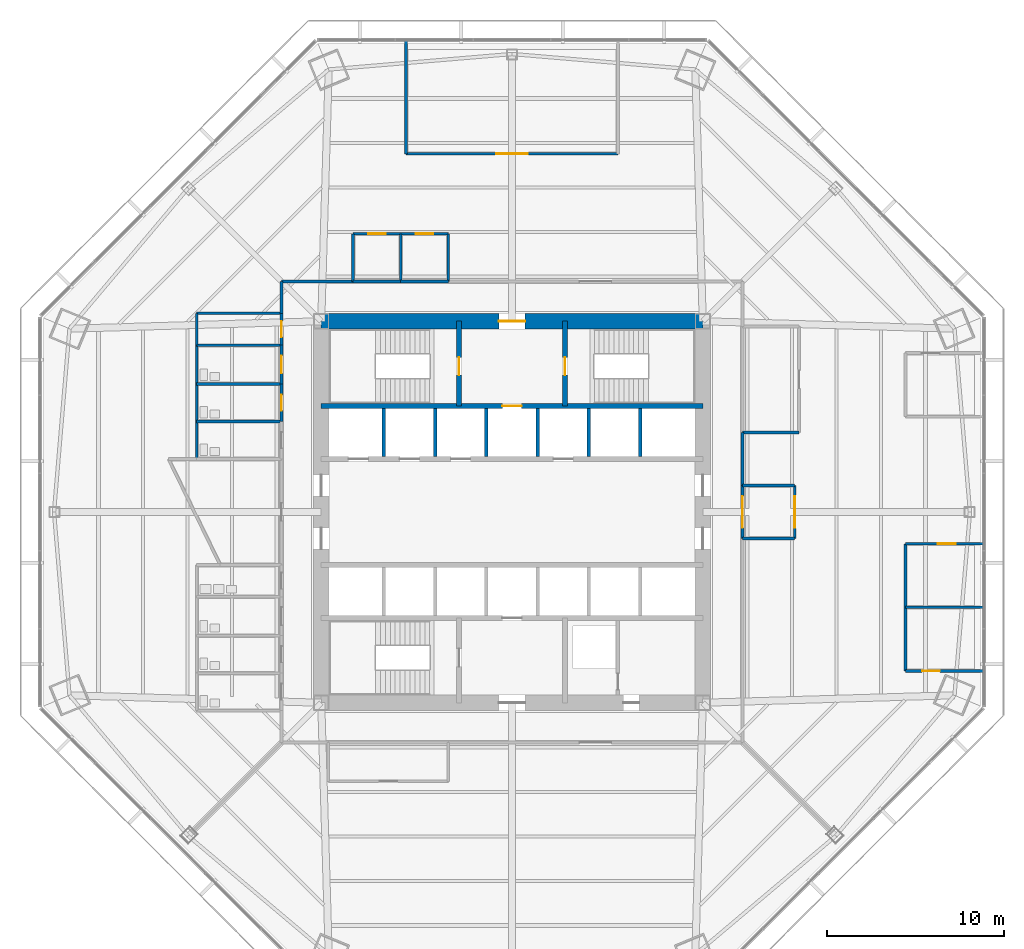
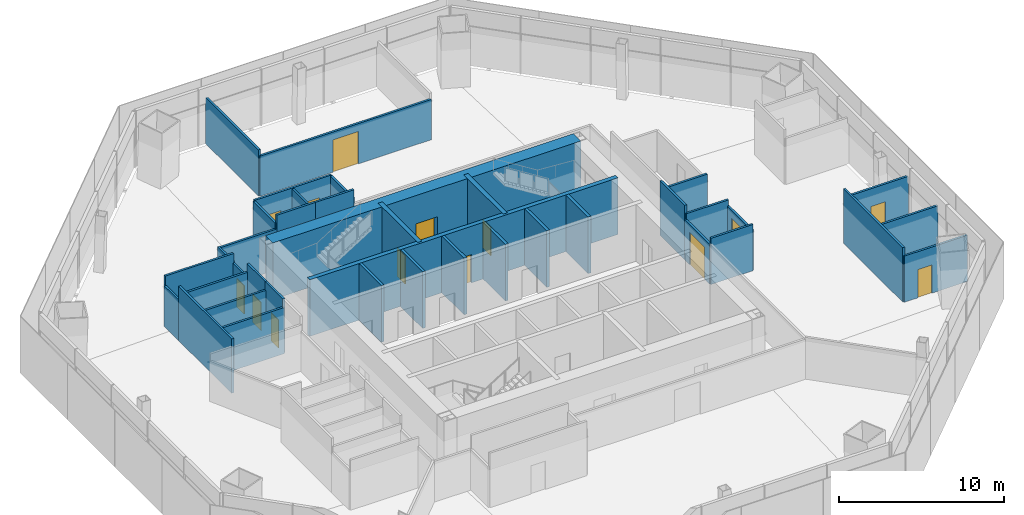
# One storey, part 9 of 13: 39 walls, 14 doors, 14 openings.
"""IFC4 building model written with IfcOpenShell, lengths in metres."""

from ifc_helpers import new_model, si_unit, direction, frame, frame_2d, origin, place, context, subcontext, project, spatial, rectangle, extrude, material, layer, layer_set, type_object, element, fill, save


model = new_model("IFC4")

# Units and contexts
model_context = context("Model", 3, precision=1e-05, world=origin(), true_north=direction((0.0, 1.0)))
body_context = subcontext(model_context, "Body", "Model", "MODEL_VIEW")
ifc_project = project(units=[si_unit("LENGTHUNIT", "METRE"), si_unit("AREAUNIT", "SQUARE_METRE"), si_unit("VOLUMEUNIT", "CUBIC_METRE"), si_unit("PLANEANGLEUNIT", "RADIAN"), si_unit("MASSUNIT", "GRAM", prefix="KILO")], contexts=[model_context])

# Site, building, storey
site_placement = place(None, origin())
site = spatial("IfcSite", under=ifc_project, at=site_placement, CompositionType="ELEMENT")
building_placement = place(site_placement, origin())
building = spatial("IfcBuilding", under=site, at=building_placement, Name="Mashrafa Tower", CompositionType="ELEMENT")
storey_placement = place(building_placement, frame((0.0, 0.0, 45.60009765625)))
storey = spatial("IfcBuildingStorey", under=building, at=storey_placement, Name="L09", CompositionType="ELEMENT", Elevation=45.60009765625)

# Wall, opening, door
ifc_material_1 = material(Name="Concrete C60/75", Category="concrete")
ifc_layer_1 = layer(ifc_material_1, 0.300048828125)
ifc_layer_set_1 = layer_set([ifc_layer_1], Name="Core wall 300 C60/75")
wall_type_1 = type_object("IfcWallType", Name="Core wall 300 C60/75", PredefinedType="SOLIDWALL", material=ifc_layer_set_1)
wall_1_placement = place(storey_placement, frame((-10.800048828125, 6.0, 0.0), z_axis=(0.0, 0.0, 1.0), x_axis=(1.0, 0.0, 0.0)))
wall_1 = element("IfcWall", 1, at=wall_1_placement, inside=storey, type_object=wall_type_1, Name="Core wall CB-N L09", PredefinedType="SOLIDWALL", context=body_context, shape_type="SweptSolid", body=[
    extrude(rectangle(XDim=21.60009765625, YDim=0.300048828125, at=frame_2d((10.800048828125, 0.0))), origin(), (0.0, 0.0, 1.0), 4.199951171875),
])
opening_1_placement = place(wall_1_placement, frame((10.25, 0.0, 0.0)))
opening_1 = element("IfcOpeningElement", 2, at=opening_1_placement, cuts=wall_1, Name="Opening 09.F1", PredefinedType="OPENING", context=body_context, shape_type="SweptSolid", body=[
    extrude(rectangle(XDim=1.10009765625, YDim=2.10009765625, at=frame_2d((0.550048828125, 1.050048828125))), frame((0.0, 0.159912109375, 0.0), z_axis=(0.0, -1.0, 0.0), x_axis=(1.0, 0.0, 0.0)), (0.0, 0.0, 1.0), 0.320068359375),
])
ifc_material_2 = material(Name="Steel door", Category="steel")
door_type_1 = type_object("IfcDoorType", Name="Lift landing door 1100 x 2100 90 min", OperationType="DOUBLE_DOOR_SLIDING", PredefinedType="DOOR", material=ifc_material_2)
door_1_placement = place(opening_1_placement, origin())
door_1 = element("IfcDoor", 3, at=door_1_placement, inside=storey, type_object=door_type_1, Name="Lift landing door F1 L09", OperationType="DOUBLE_DOOR_SLIDING", OverallHeight=2.10009765625, OverallWidth=1.10009765625, PredefinedType="DOOR", context=body_context, shape_type="SweptSolid", body=[
    extrude(rectangle(XDim=1.10009765625, YDim=2.10009765625, at=frame_2d((0.550048828125, 1.050048828125))), frame((0.0, 0.02490234375, 0.0), z_axis=(0.0, -1.0, 0.0), x_axis=(1.0, 0.0, 0.0)), (0.0, 0.0, 1.0), 0.050048828125),
])
fill(opening_1, door_1)

wall_2_placement = place(storey_placement, frame((-3.0, 6.0, 0.0), z_axis=(0.0, 0.0, 1.0), x_axis=(0.0, 1.0, 0.0)))
wall_2 = element("IfcWall", 4, at=wall_2_placement, inside=storey, type_object=wall_type_1, Name="Core wall CX-NW L09", PredefinedType="SOLIDWALL", context=body_context, shape_type="SweptSolid", body=[
    extrude(rectangle(XDim=4.800048828125, YDim=0.300048828125, at=frame_2d((2.39990234375, 0.0))), origin(), (0.0, 0.0, 1.0), 4.199951171875),
])
opening_2_placement = place(wall_2_placement, frame((1.75, 0.0, 0.0)))
opening_2 = element("IfcOpeningElement", 5, at=opening_2_placement, cuts=wall_2, Name="Opening 09.028", PredefinedType="OPENING", context=body_context, shape_type="SweptSolid", body=[
    extrude(rectangle(XDim=1.0, YDim=2.10009765625, at=frame_2d((0.5, 1.050048828125))), frame((0.0, 0.159912109375, 0.0), z_axis=(0.0, -1.0, 0.0), x_axis=(1.0, 0.0, 0.0)), (0.0, 0.0, 1.0), 0.320068359375),
])
ifc_material_3 = material(Name="Steel door", Category="steel")
door_type_2 = type_object("IfcDoorType", Name="Stair door 1000 x 2100 90 min", OperationType="USERDEFINED", PredefinedType="DOOR", material=ifc_material_3)
door_2_placement = place(opening_2_placement, origin())
door_2 = element("IfcDoor", 6, at=door_2_placement, inside=storey, type_object=door_type_2, Name="Stair S1 door L09", OperationType="SINGLE_SWING_LEFT", OverallHeight=2.10009765625, OverallWidth=1.0, PredefinedType="DOOR", context=body_context, shape_type="SweptSolid", body=[
    extrude(rectangle(XDim=1.0, YDim=2.10009765625, at=frame_2d((0.5, 1.050048828125))), frame((0.0, 0.02490234375, 0.0), z_axis=(0.0, -1.0, 0.0), x_axis=(1.0, 0.0, 0.0)), (0.0, 0.0, 1.0), 0.050048828125),
])
fill(opening_2, door_2)

wall_3_placement = place(storey_placement, frame((3.0, 6.0, 0.0), z_axis=(0.0, 0.0, 1.0), x_axis=(0.0, 1.0, 0.0)))
wall_3 = element("IfcWall", 7, at=wall_3_placement, inside=storey, type_object=wall_type_1, Name="Core wall CX-NE L09", PredefinedType="SOLIDWALL", context=body_context, shape_type="SweptSolid", body=[
    extrude(rectangle(XDim=4.800048828125, YDim=0.300048828125, at=frame_2d((2.39990234375, 0.0))), origin(), (0.0, 0.0, 1.0), 4.199951171875),
])
opening_3_placement = place(wall_3_placement, frame((1.75, 0.0, 0.0)))
opening_3 = element("IfcOpeningElement", 8, at=opening_3_placement, cuts=wall_3, Name="Opening 09.029", PredefinedType="OPENING", context=body_context, shape_type="SweptSolid", body=[
    extrude(rectangle(XDim=1.0, YDim=2.10009765625, at=frame_2d((0.5, 1.050048828125))), frame((0.0, 0.159912109375, 0.0), z_axis=(0.0, -1.0, 0.0), x_axis=(1.0, 0.0, 0.0)), (0.0, 0.0, 1.0), 0.320068359375),
])
door_3_placement = place(opening_3_placement, frame((1.0, 0.0, 0.0), z_axis=(0.0, 0.0, 1.0), x_axis=(-1.0, 0.0, 0.0)))
door_3 = element("IfcDoor", 9, at=door_3_placement, inside=storey, type_object=door_type_2, Name="Stair S2 door L09", OperationType="SINGLE_SWING_RIGHT", OverallHeight=2.10009765625, OverallWidth=1.0, PredefinedType="DOOR", context=body_context, shape_type="SweptSolid", body=[
    extrude(rectangle(XDim=1.0, YDim=2.10009765625, at=frame_2d((0.5, 1.050048828125))), frame((0.0, 0.02490234375, 0.0), z_axis=(0.0, -1.0, 0.0), x_axis=(1.0, 0.0, 0.0)), (0.0, 0.0, 1.0), 0.050048828125),
])
fill(opening_3, door_3)

ifc_material_4 = material(Name="Concrete C60/75", Category="concrete")
ifc_layer_2 = layer(ifc_material_4, 0.89990234375)
ifc_layer_set_2 = layer_set([ifc_layer_2], Name="Core wall 900 C60/75")
wall_type_2 = type_object("IfcWallType", Name="Core wall 900 C60/75", PredefinedType="SOLIDWALL", material=ifc_layer_set_2)
wall_4_placement = place(storey_placement, frame((10.800048828125, 10.800048828125, 0.0), z_axis=(0.0, 0.0, 1.0), x_axis=(-1.0, 0.0, 0.0)))
wall_4 = element("IfcWall", 10, at=wall_4_placement, inside=storey, type_object=wall_type_2, Name="Core wall CW-N L09", PredefinedType="SOLIDWALL", context=body_context, shape_type="SweptSolid", body=[
    extrude(rectangle(XDim=21.60009765625, YDim=0.89990234375, at=frame_2d((10.800048828125, 0.0))), origin(), (0.0, 0.0, 1.0), 4.199951171875),
])
opening_4_placement = place(wall_4_placement, frame((10.050048828125, 0.0, 0.0)))
opening_4 = element("IfcOpeningElement", 11, at=opening_4_placement, cuts=wall_4, Name="Opening 09.026", PredefinedType="OPENING", context=body_context, shape_type="SweptSolid", body=[
    extrude(rectangle(XDim=1.5, YDim=2.10009765625, at=frame_2d((0.75, 1.050048828125))), frame((0.0, 0.4599609375, 0.0), z_axis=(0.0, -1.0, 0.0), x_axis=(1.0, 0.0, 0.0)), (0.0, 0.0, 1.0), 0.919921875),
])
ifc_material_5 = material(Name="Steel door", Category="steel")
door_type_3 = type_object("IfcDoorType", Name="Lobby door pair 1500 x 2100 90 min", OperationType="DOUBLE_DOOR_SINGLE_SWING", PredefinedType="DOOR", material=ifc_material_5)
door_4_placement = place(opening_4_placement, origin())
door_4 = element("IfcDoor", 12, at=door_4_placement, inside=storey, type_object=door_type_3, Name="Fire-fighting lobby F1 door L09", OperationType="DOUBLE_DOOR_SINGLE_SWING", OverallHeight=2.10009765625, OverallWidth=1.5, PredefinedType="DOOR", context=body_context, shape_type="SweptSolid", body=[
    extrude(rectangle(XDim=1.5, YDim=2.10009765625, at=frame_2d((0.75, 1.050048828125))), frame((0.0, 0.02490234375, 0.0), z_axis=(0.0, -1.0, 0.0), x_axis=(1.0, 0.0, 0.0)), (0.0, 0.0, 1.0), 0.050048828125),
])
fill(opening_4, door_4)

ifc_material_6 = material(Name="Gypsum board on steel studs", Category="steel")
ifc_layer_3 = layer(ifc_material_6, 0.14990234375)
ifc_layer_set_3 = layer_set([ifc_layer_3], Name="Corridor partition 150 1 hr")
wall_type_3 = type_object("IfcWallType", Name="Corridor partition 150 1 hr", PredefinedType="PARTITIONING", material=ifc_layer_set_3)
wall_5_placement = place(storey_placement, frame((-13.050048828125, 7.2509765625, 0.0), z_axis=(0.0, 0.0, 1.0), x_axis=(0.0, -1.0, 0.0)))
wall_5 = element("IfcWall", 13, at=wall_5_placement, inside=storey, type_object=wall_type_3, Name="Corridor wall L09-002", PredefinedType="PARTITIONING", context=body_context, shape_type="SweptSolid", body=[
    extrude(rectangle(XDim=2.126953125, YDim=0.14990234375, at=frame_2d((1.0634765625, 0.0))), origin(), (0.0, 0.0, 1.0), 4.034912109375),
])
opening_5_placement = place(wall_5_placement, frame((0.613525390625, 0.0, 0.0)))
opening_5 = element("IfcOpeningElement", 14, at=opening_5_placement, cuts=wall_5, Name="Opening 09.002", PredefinedType="OPENING", context=body_context, shape_type="SweptSolid", body=[
    extrude(rectangle(XDim=0.89990234375, YDim=2.10009765625, at=frame_2d((0.449951171875, 1.050048828125))), frame((0.0, 0.0849609375, 0.0), z_axis=(0.0, -1.0, 0.0), x_axis=(1.0, 0.0, 0.0)), (0.0, 0.0, 1.0), 0.169921875),
])
ifc_material_7 = material(Name="Timber door", Category="wood")
door_type_4 = type_object("IfcDoorType", Name="Toilet door 900 x 2100", OperationType="USERDEFINED", PredefinedType="DOOR", material=ifc_material_7)
door_5_placement = place(opening_5_placement, frame((0.89990234375, 0.0, 0.0), z_axis=(0.0, 0.0, 1.0), x_axis=(-1.0, 0.0, 0.0)))
door_5 = element("IfcDoor", 15, at=door_5_placement, inside=storey, type_object=door_type_4, Name="WC Male L09 N door", OperationType="SINGLE_SWING_LEFT", OverallHeight=2.10009765625, OverallWidth=0.89990234375, PredefinedType="DOOR", context=body_context, shape_type="SweptSolid", body=[
    extrude(rectangle(XDim=0.89990234375, YDim=2.10009765625, at=frame_2d((0.449951171875, 1.050048828125))), frame((0.0, 0.02490234375, 0.0), z_axis=(0.0, -1.0, 0.0), x_axis=(1.0, 0.0, 0.0)), (0.0, 0.0, 1.0), 0.050048828125),
])
fill(opening_5, door_5)

wall_6_placement = place(storey_placement, frame((-13.050048828125, 9.450927734375, 0.0), z_axis=(0.0, 0.0, 1.0), x_axis=(0.0, -1.0, 0.0)))
wall_6 = element("IfcWall", 16, at=wall_6_placement, inside=storey, type_object=wall_type_3, Name="Corridor wall L09-003", PredefinedType="PARTITIONING", context=body_context, shape_type="SweptSolid", body=[
    extrude(rectangle(XDim=2.201904296875, YDim=0.14990234375, at=frame_2d((1.10107421875, 0.0))), origin(), (0.0, 0.0, 1.0), 4.034912109375),
])
opening_6_placement = place(wall_6_placement, frame((0.60107421875, 0.0, 0.0)))
opening_6 = element("IfcOpeningElement", 17, at=opening_6_placement, cuts=wall_6, Name="Opening 09.003", PredefinedType="OPENING", context=body_context, shape_type="SweptSolid", body=[
    extrude(rectangle(XDim=1.0, YDim=2.10009765625, at=frame_2d((0.5, 1.050048828125))), frame((0.0, 0.0849609375, 0.0), z_axis=(0.0, -1.0, 0.0), x_axis=(1.0, 0.0, 0.0)), (0.0, 0.0, 1.0), 0.169921875),
])
ifc_material_8 = material(Name="Timber door", Category="wood")
door_type_5 = type_object("IfcDoorType", Name="Accessible toilet door 1000 x 2100", OperationType="USERDEFINED", PredefinedType="DOOR", material=ifc_material_8)
door_6_placement = place(opening_6_placement, frame((1.0, 0.0, 0.0), z_axis=(0.0, 0.0, 1.0), x_axis=(-1.0, 0.0, 0.0)))
door_6 = element("IfcDoor", 18, at=door_6_placement, inside=storey, type_object=door_type_5, Name="Accessible WC L09 N door", OperationType="SINGLE_SWING_RIGHT", OverallHeight=2.10009765625, OverallWidth=1.0, PredefinedType="DOOR", context=body_context, shape_type="SweptSolid", body=[
    extrude(rectangle(XDim=1.0, YDim=2.10009765625, at=frame_2d((0.5, 1.050048828125))), frame((0.0, 0.02490234375, 0.0), z_axis=(0.0, -1.0, 0.0), x_axis=(1.0, 0.0, 0.0)), (0.0, 0.0, 1.0), 0.050048828125),
])
fill(opening_6, door_6)

wall_7_placement = place(storey_placement, frame((-13.050048828125, 11.2509765625, 0.0), z_axis=(0.0, 0.0, 1.0), x_axis=(0.0, -1.0, 0.0)))
wall_7 = element("IfcWall", 19, at=wall_7_placement, inside=storey, type_object=wall_type_3, Name="Corridor wall L09-004", PredefinedType="PARTITIONING", context=body_context, shape_type="SweptSolid", body=[
    extrude(rectangle(XDim=1.802001953125, YDim=0.14990234375, at=frame_2d((0.90087890625, 0.0))), origin(), (0.0, 0.0, 1.0), 3.013916015625),
])
opening_7_placement = place(wall_7_placement, frame((0.450927734375, 0.0, 0.0)))
opening_7 = element("IfcOpeningElement", 20, at=opening_7_placement, cuts=wall_7, Name="Opening 09.004", PredefinedType="OPENING", context=body_context, shape_type="SweptSolid", body=[
    extrude(rectangle(XDim=0.89990234375, YDim=2.10009765625, at=frame_2d((0.449951171875, 1.050048828125))), frame((0.0, 0.0849609375, 0.0), z_axis=(0.0, -1.0, 0.0), x_axis=(1.0, 0.0, 0.0)), (0.0, 0.0, 1.0), 0.169921875),
])
ifc_material_9 = material(Name="Timber door", Category="wood")
door_type_6 = type_object("IfcDoorType", Name="Store door 900 x 2100", OperationType="USERDEFINED", PredefinedType="DOOR", material=ifc_material_9)
door_7_placement = place(opening_7_placement, frame((0.89990234375, 0.0, 0.0), z_axis=(0.0, 0.0, 1.0), x_axis=(-1.0, 0.0, 0.0)))
door_7 = element("IfcDoor", 21, at=door_7_placement, inside=storey, type_object=door_type_6, Name="Cleaner's Store L09 N door", OperationType="SINGLE_SWING_LEFT", OverallHeight=2.10009765625, OverallWidth=0.89990234375, PredefinedType="DOOR", context=body_context, shape_type="SweptSolid", body=[
    extrude(rectangle(XDim=0.89990234375, YDim=2.10009765625, at=frame_2d((0.449951171875, 1.050048828125))), frame((0.0, 0.02490234375, 0.0), z_axis=(0.0, -1.0, 0.0), x_axis=(1.0, 0.0, 0.0)), (0.0, 0.0, 1.0), 0.050048828125),
])
fill(opening_7, door_7)

# Walls
for number, where, z_axis, x_axis, name in (
    (22, (-3.59912109375, 13.050048828125, 0.0), (0.0, 0.0, 1.0), (-1.0, 0.0, 0.0), "Corridor wall L09-012"),
    (23, (-6.299072265625, 13.050048828125, 0.0), (0.0, 0.0, 1.0), (-1.0, 0.0, 0.0), "Corridor wall L09-013"),
):
    element("IfcWall", number, at=place(storey_placement, frame(where, z_axis=z_axis, x_axis=x_axis)), inside=storey, type_object=wall_type_3, Name=name, PredefinedType="PARTITIONING", context=body_context, shape_type="SweptSolid", body=[
        extrude(rectangle(XDim=2.701904296875, YDim=0.14990234375, at=frame_2d((1.35107421875, 0.0))), origin(), (0.0, 0.0, 1.0), 4.034912109375),
    ])

# Wall, opening, door
wall_8_placement = place(storey_placement, frame((13.050048828125, -1.5009765625, 0.0), z_axis=(0.0, 0.0, 1.0), x_axis=(0.0, 1.0, 0.0)))
wall_8 = element("IfcWall", 24, at=wall_8_placement, inside=storey, type_object=wall_type_3, Name="Corridor wall L09-014", PredefinedType="PARTITIONING", context=body_context, shape_type="SweptSolid", body=[
    extrude(rectangle(XDim=3.001953125, YDim=0.14990234375, at=frame_2d((1.5009765625, 0.0))), origin(), (0.0, 0.0, 1.0), 2.9833984375),
])
opening_8_placement = place(wall_8_placement, frame((0.60107421875, 0.0, 0.0)))
opening_8 = element("IfcOpeningElement", 25, at=opening_8_placement, cuts=wall_8, Name="Opening 09.018", PredefinedType="OPENING", context=body_context, shape_type="SweptSolid", body=[
    extrude(rectangle(XDim=1.800048828125, YDim=2.39990234375, at=frame_2d((0.89990234375, 1.199951171875))), frame((0.0, 0.0849609375, 0.0), z_axis=(0.0, -1.0, 0.0), x_axis=(1.0, 0.0, 0.0)), (0.0, 0.0, 1.0), 0.169921875),
])
ifc_material_10 = material(Name="Steel door", Category="steel")
door_type_7 = type_object("IfcDoorType", Name="Door pair 1800 x 2400 90 min", OperationType="DOUBLE_DOOR_SINGLE_SWING", PredefinedType="DOOR", material=ifc_material_10)
door_8_placement = place(opening_8_placement, origin())
door_8 = element("IfcDoor", 26, at=door_8_placement, inside=storey, type_object=door_type_7, Name="Trading Floor Entrance Lobby 09 door", OperationType="DOUBLE_DOOR_SINGLE_SWING", OverallHeight=2.39990234375, OverallWidth=1.800048828125, PredefinedType="DOOR", context=body_context, shape_type="SweptSolid", body=[
    extrude(rectangle(XDim=1.800048828125, YDim=2.39990234375, at=frame_2d((0.89990234375, 1.199951171875))), frame((0.0, 0.02490234375, 0.0), z_axis=(0.0, -1.0, 0.0), x_axis=(1.0, 0.0, 0.0)), (0.0, 0.0, 1.0), 0.050048828125),
])
fill(opening_8, door_8)

# Walls
wall_9_placement = place(storey_placement, frame((-8.9990234375, 13.050048828125, 0.0), z_axis=(0.0, 0.0, 1.0), x_axis=(-1.0, 0.0, 0.0)))
element("IfcWall", 27, at=wall_9_placement, inside=storey, type_object=wall_type_3, Name="Corridor wall L09-016", PredefinedType="PARTITIONING", context=body_context, shape_type="SweptSolid", body=[
    extrude(rectangle(XDim=4.051025390625, YDim=0.14990234375, at=frame_2d((2.025390625, 0.0))), origin(), (0.0, 0.0, 1.0), 3.013916015625),
])
wall_10_placement = place(storey_placement, frame((-13.050048828125, 13.050048828125, 0.0), z_axis=(0.0, 0.0, 1.0), x_axis=(0.0, -1.0, 0.0)))
element("IfcWall", 28, at=wall_10_placement, inside=storey, type_object=wall_type_3, Name="Corridor wall L09-017", PredefinedType="PARTITIONING", context=body_context, shape_type="SweptSolid", body=[
    extrude(rectangle(XDim=1.801025390625, YDim=0.14990234375, at=frame_2d((0.900390625, 0.0))), origin(), (0.0, 0.0, 1.0), 3.097900390625),
])
wall_11_placement = place(storey_placement, frame((13.050048828125, 1.4990234375, 0.0), z_axis=(0.0, 0.0, 1.0), x_axis=(0.0, 1.0, 0.0)))
element("IfcWall", 29, at=wall_11_placement, inside=storey, type_object=wall_type_3, Name="Corridor wall L09-021", PredefinedType="PARTITIONING", context=body_context, shape_type="SweptSolid", body=[
    extrude(rectangle(XDim=3.001953125, YDim=0.14990234375, at=frame_2d((1.5009765625, 0.0))), origin(), (0.0, 0.0, 1.0), 4.034912109375),
])
wall_12_placement = place(storey_placement, frame((13.050048828125, -1.5, 0.0), z_axis=(0.0, 0.0, 1.0), x_axis=(1.0, 0.0, 0.0)))
element("IfcWall", 30, at=wall_12_placement, inside=storey, type_object=wall_type_3, Name="Corridor wall L09-067", PredefinedType="PARTITIONING", context=body_context, shape_type="SweptSolid", body=[
    extrude(rectangle(XDim=2.949951171875, YDim=0.14990234375, at=frame_2d((1.47509765625, 0.0))), origin(), (0.0, 0.0, 1.0), 3.425537109375),
])

# Wall, opening, door
wall_13_placement = place(storey_placement, frame((16.0, -1.5, 0.0), z_axis=(0.0, 0.0, 1.0), x_axis=(0.0, 1.0, 0.0)))
wall_13 = element("IfcWall", 31, at=wall_13_placement, inside=storey, type_object=wall_type_3, Name="Corridor wall L09-068", PredefinedType="PARTITIONING", context=body_context, shape_type="SweptSolid", body=[
    extrude(rectangle(XDim=3.0, YDim=0.14990234375, at=frame_2d((1.5, 0.0))), origin(), (0.0, 0.0, 1.0), 2.9833984375),
])
opening_9_placement = place(wall_13_placement, frame((0.60009765625, 0.0, 0.0)))
opening_9 = element("IfcOpeningElement", 32, at=opening_9_placement, cuts=wall_13, Name="Opening 09.019", PredefinedType="OPENING", context=body_context, shape_type="SweptSolid", body=[
    extrude(rectangle(XDim=1.800048828125, YDim=2.39990234375, at=frame_2d((0.89990234375, 1.199951171875))), frame((0.0, 0.0849609375, 0.0), z_axis=(0.0, -1.0, 0.0), x_axis=(1.0, 0.0, 0.0)), (0.0, 0.0, 1.0), 0.169921875),
])
door_9_placement = place(opening_9_placement, frame((1.800048828125, 0.0, 0.0), z_axis=(0.0, 0.0, 1.0), x_axis=(-1.0, 0.0, 0.0)))
door_9 = element("IfcDoor", 33, at=door_9_placement, inside=storey, type_object=door_type_7, Name="Trading Floor Entrance Lobby 09 door", OperationType="DOUBLE_DOOR_SINGLE_SWING", OverallHeight=2.39990234375, OverallWidth=1.800048828125, PredefinedType="DOOR", context=body_context, shape_type="SweptSolid", body=[
    extrude(rectangle(XDim=1.800048828125, YDim=2.39990234375, at=frame_2d((0.89990234375, 1.199951171875))), frame((0.0, 0.02490234375, 0.0), z_axis=(0.0, -1.0, 0.0), x_axis=(1.0, 0.0, 0.0)), (0.0, 0.0, 1.0), 0.050048828125),
])
fill(opening_9, door_9)

# Walls
wall_14_placement = place(storey_placement, frame((16.0, 1.5, 0.0), z_axis=(0.0, 0.0, 1.0), x_axis=(-1.0, 0.0, 0.0)))
element("IfcWall", 34, at=wall_14_placement, inside=storey, type_object=wall_type_3, Name="Corridor wall L09-069", PredefinedType="PARTITIONING", context=body_context, shape_type="SweptSolid", body=[
    extrude(rectangle(XDim=2.949951171875, YDim=0.14990234375, at=frame_2d((1.47509765625, 0.0))), origin(), (0.0, 0.0, 1.0), 3.425537109375),
])
ifc_material_11 = material(Name="Gypsum board on steel studs", Category="steel")
ifc_layer_4 = layer(ifc_material_11, 0.14990234375)
ifc_layer_set_4 = layer_set([ifc_layer_4], Name="Partition 150")
wall_type_4 = type_object("IfcWallType", Name="Partition 150", PredefinedType="PARTITIONING", material=ifc_layer_set_4)
wall_15_placement = place(storey_placement, frame((-13.050048828125, 5.125, 0.0), z_axis=(0.0, 0.0, 1.0), x_axis=(-1.0, 0.0, 0.0)))
element("IfcWall", 35, at=wall_15_placement, inside=storey, type_object=wall_type_4, Name="Partition wall L09-024", PredefinedType="PARTITIONING", context=body_context, shape_type="SweptSolid", body=[
    extrude(rectangle(XDim=4.800048828125, YDim=0.14990234375, at=frame_2d((2.39990234375, 0.0))), origin(), (0.0, 0.0, 1.0), 3.425537109375),
])
wall_16_placement = place(storey_placement, frame((-17.85009765625, 3.0, 0.0), z_axis=(0.0, 0.0, 1.0), x_axis=(0.0, 1.0, 0.0)))
element("IfcWall", 36, at=wall_16_placement, inside=storey, type_object=wall_type_4, Name="Partition wall L09-026", PredefinedType="PARTITIONING", context=body_context, shape_type="SweptSolid", body=[
    extrude(rectangle(XDim=6.449951171875, YDim=0.14990234375, at=frame_2d((3.22509765625, 0.0))), origin(), (0.0, 0.0, 1.0), 4.034912109375),
])
for number, where, z_axis, x_axis, name in (
    (37, (-13.050048828125, 7.25, 0.0), (0.0, 0.0, 1.0), (-1.0, 0.0, 0.0), "Partition wall L09-027"),
    (38, (-13.050048828125, 9.449951171875, 0.0), (0.0, 0.0, 1.0), (-1.0, 0.0, 0.0), "Partition wall L09-029"),
):
    element("IfcWall", number, at=place(storey_placement, frame(where, z_axis=z_axis, x_axis=x_axis)), inside=storey, type_object=wall_type_4, Name=name, PredefinedType="PARTITIONING", context=body_context, shape_type="SweptSolid", body=[
        extrude(rectangle(XDim=4.800048828125, YDim=0.14990234375, at=frame_2d((2.39990234375, 0.0))), origin(), (0.0, 0.0, 1.0), 3.425537109375),
    ])
wall_17_placement = place(storey_placement, frame((-13.050048828125, 11.25, 0.0), z_axis=(0.0, 0.0, 1.0), x_axis=(-1.0, 0.0, 0.0)))
element("IfcWall", 39, at=wall_17_placement, inside=storey, type_object=wall_type_4, Name="Partition wall L09-031", PredefinedType="PARTITIONING", context=body_context, shape_type="SweptSolid", body=[
    extrude(rectangle(XDim=4.800048828125, YDim=0.14990234375, at=frame_2d((2.39990234375, 0.0))), origin(), (0.0, 0.0, 1.0), 3.715087890625),
])
wall_18_placement = place(storey_placement, frame((-17.85009765625, 11.25, 0.0), z_axis=(0.0, 0.0, 1.0), x_axis=(0.0, -1.0, 0.0)))
element("IfcWall", 40, at=wall_18_placement, inside=storey, type_object=wall_type_4, Name="Partition wall L09-032", PredefinedType="PARTITIONING", context=body_context, shape_type="SweptSolid", body=[
    extrude(rectangle(XDim=1.800048828125, YDim=0.14990234375, at=frame_2d((0.89990234375, 0.0))), origin(), (0.0, 0.0, 1.0), 3.013916015625),
])
wall_19_placement = place(storey_placement, frame((26.706787109375, -5.39990234375, 0.0), z_axis=(0.0, 0.0, 1.0), x_axis=(-1.0, 0.0, 0.0)))
element("IfcWall", 41, at=wall_19_placement, inside=storey, type_object=wall_type_4, Name="Partition wall L09-045", PredefinedType="PARTITIONING", context=body_context, shape_type="SweptSolid", body=[
    extrude(rectangle(XDim=4.431884765625, YDim=0.14990234375, at=frame_2d((2.2158203125, 0.0))), origin(), (0.0, 0.0, 1.0), 3.4228515625),
])
wall_20_placement = place(storey_placement, frame((22.27490234375, -9.0, 0.0), z_axis=(0.0, 0.0, 1.0), x_axis=(0.0, 1.0, 0.0)))
element("IfcWall", 42, at=wall_20_placement, inside=storey, type_object=wall_type_4, Name="Partition wall L09-046", PredefinedType="PARTITIONING", context=body_context, shape_type="SweptSolid", body=[
    extrude(rectangle(XDim=7.199951171875, YDim=0.14990234375, at=frame_2d((3.60009765625, 0.0))), origin(), (0.0, 0.0, 1.0), 4.034912109375),
])

# Wall, opening, door
wall_21_placement = place(storey_placement, frame((22.27490234375, -9.0, 0.0), z_axis=(0.0, 0.0, 1.0), x_axis=(1.0, 0.0, 0.0)))
wall_21 = element("IfcWall", 43, at=wall_21_placement, inside=storey, type_object=wall_type_4, Name="Partition wall L09-047", PredefinedType="PARTITIONING", context=body_context, shape_type="SweptSolid", body=[
    extrude(rectangle(XDim=4.433837890625, YDim=0.14990234375, at=frame_2d((2.216796875, 0.0))), origin(), (0.0, 0.0, 1.0), 3.4228515625),
])
opening_10_placement = place(wall_21_placement, frame((0.949951171875, 0.0, 0.0)))
opening_10 = element("IfcOpeningElement", 44, at=opening_10_placement, cuts=wall_21, Name="Opening 09.010", PredefinedType="OPENING", context=body_context, shape_type="SweptSolid", body=[
    extrude(rectangle(XDim=1.0, YDim=2.10009765625, at=frame_2d((0.5, 1.050048828125))), frame((0.0, 0.0849609375, 0.0), z_axis=(0.0, -1.0, 0.0), x_axis=(1.0, 0.0, 0.0)), (0.0, 0.0, 1.0), 0.169921875),
])
ifc_material_12 = material(Name="Timber door", Category="wood")
door_type_8 = type_object("IfcDoorType", Name="Door 1000 x 2100", OperationType="USERDEFINED", PredefinedType="DOOR", material=ifc_material_12)
door_10_placement = place(opening_10_placement, origin())
door_10 = element("IfcDoor", 45, at=door_10_placement, inside=storey, type_object=door_type_8, Name="Meeting Room 09-1 door", OperationType="SINGLE_SWING_LEFT", OverallHeight=2.10009765625, OverallWidth=1.0, PredefinedType="DOOR", context=body_context, shape_type="SweptSolid", body=[
    extrude(rectangle(XDim=1.0, YDim=2.10009765625, at=frame_2d((0.5, 1.050048828125))), frame((0.0, 0.02490234375, 0.0), z_axis=(0.0, -1.0, 0.0), x_axis=(1.0, 0.0, 0.0)), (0.0, 0.0, 1.0), 0.050048828125),
])
fill(opening_10, door_10)

wall_22_placement = place(storey_placement, frame((26.708740234375, -1.800048828125, 0.0), z_axis=(0.0, 0.0, 1.0), x_axis=(-1.0, 0.0, 0.0)))
wall_22 = element("IfcWall", 46, at=wall_22_placement, inside=storey, type_object=wall_type_4, Name="Partition wall L09-048", PredefinedType="PARTITIONING", context=body_context, shape_type="SweptSolid", body=[
    extrude(rectangle(XDim=4.433837890625, YDim=0.14990234375, at=frame_2d((2.216796875, 0.0))), origin(), (0.0, 0.0, 1.0), 3.4228515625),
])
opening_11_placement = place(wall_22_placement, frame((1.59912109375, 0.0, 0.0)))
opening_11 = element("IfcOpeningElement", 47, at=opening_11_placement, cuts=wall_22, Name="Opening 09.011", PredefinedType="OPENING", context=body_context, shape_type="SweptSolid", body=[
    extrude(rectangle(XDim=1.0, YDim=2.10009765625, at=frame_2d((0.5, 1.050048828125))), frame((0.0, 0.0849609375, 0.0), z_axis=(0.0, -1.0, 0.0), x_axis=(1.0, 0.0, 0.0)), (0.0, 0.0, 1.0), 0.169921875),
])
door_11_placement = place(opening_11_placement, origin())
door_11 = element("IfcDoor", 48, at=door_11_placement, inside=storey, type_object=door_type_8, Name="Meeting Room 09-2 door", OperationType="SINGLE_SWING_LEFT", OverallHeight=2.10009765625, OverallWidth=1.0, PredefinedType="DOOR", context=body_context, shape_type="SweptSolid", body=[
    extrude(rectangle(XDim=1.0, YDim=2.10009765625, at=frame_2d((0.5, 1.050048828125))), frame((0.0, 0.02490234375, 0.0), z_axis=(0.0, -1.0, 0.0), x_axis=(1.0, 0.0, 0.0)), (0.0, 0.0, 1.0), 0.050048828125),
])
fill(opening_11, door_11)

# Wall
wall_23_placement = place(storey_placement, frame((-6.0, 26.706787109375, 0.0), z_axis=(0.0, 0.0, 1.0), x_axis=(0.0, -1.0, 0.0)))
element("IfcWall", 49, at=wall_23_placement, inside=storey, type_object=wall_type_4, Name="Partition wall L09-053", PredefinedType="PARTITIONING", context=body_context, shape_type="SweptSolid", body=[
    extrude(rectangle(XDim=6.431884765625, YDim=0.14990234375, at=frame_2d((3.2158203125, 0.0))), origin(), (0.0, 0.0, 1.0), 3.4228515625),
])

# Wall, opening, door
wall_24_placement = place(storey_placement, frame((-6.0, 20.27490234375, 0.0), z_axis=(0.0, 0.0, 1.0), x_axis=(1.0, 0.0, 0.0)))
wall_24 = element("IfcWall", 50, at=wall_24_placement, inside=storey, type_object=wall_type_4, Name="Partition wall L09-054", PredefinedType="PARTITIONING", context=body_context, shape_type="SweptSolid", body=[
    extrude(rectangle(XDim=12.0, YDim=0.14990234375, at=frame_2d((6.0, 0.0))), origin(), (0.0, 0.0, 1.0), 2.9833984375),
])
opening_12_placement = place(wall_24_placement, frame((5.10009765625, 0.0, 0.0)))
opening_12 = element("IfcOpeningElement", 51, at=opening_12_placement, cuts=wall_24, Name="Opening 09.013", PredefinedType="OPENING", context=body_context, shape_type="SweptSolid", body=[
    extrude(rectangle(XDim=1.800048828125, YDim=2.39990234375, at=frame_2d((0.89990234375, 1.199951171875))), frame((0.0, 0.0849609375, 0.0), z_axis=(0.0, -1.0, 0.0), x_axis=(1.0, 0.0, 0.0)), (0.0, 0.0, 1.0), 0.169921875),
])
ifc_material_13 = material(Name="Timber door", Category="wood")
door_type_9 = type_object("IfcDoorType", Name="Door pair 1800 x 2400", OperationType="DOUBLE_DOOR_SINGLE_SWING", PredefinedType="DOOR", material=ifc_material_13)
door_12_placement = place(opening_12_placement, origin())
door_12 = element("IfcDoor", 52, at=door_12_placement, inside=storey, type_object=door_type_9, Name="Training Room 09 door", OperationType="DOUBLE_DOOR_SINGLE_SWING", OverallHeight=2.39990234375, OverallWidth=1.800048828125, PredefinedType="DOOR", context=body_context, shape_type="SweptSolid", body=[
    extrude(rectangle(XDim=1.800048828125, YDim=2.39990234375, at=frame_2d((0.89990234375, 1.199951171875))), frame((0.0, 0.02490234375, 0.0), z_axis=(0.0, -1.0, 0.0), x_axis=(1.0, 0.0, 0.0)), (0.0, 0.0, 1.0), 0.050048828125),
])
fill(opening_12, door_12)

# Walls
wall_25_placement = place(storey_placement, frame((13.050048828125, 4.5, 0.0), z_axis=(0.0, 0.0, 1.0), x_axis=(1.0, 0.0, 0.0)))
element("IfcWall", 53, at=wall_25_placement, inside=storey, type_object=wall_type_4, Name="Partition wall L09-059", PredefinedType="PARTITIONING", context=body_context, shape_type="SweptSolid", body=[
    extrude(rectangle(XDim=3.199951171875, YDim=0.14990234375, at=frame_2d((1.60009765625, 0.0))), origin(), (0.0, 0.0, 1.0), 3.425537109375),
])
for number, where, z_axis, x_axis, name in (
    (54, (-6.300048828125, 15.75, 0.0), (0.0, 0.0, 1.0), (0.0, -1.0, 0.0), "Partition wall L09-062"),
    (55, (-3.60009765625, 13.050048828125, 0.0), (0.0, 0.0, 1.0), (0.0, 1.0, 0.0), "Partition wall L09-063"),
):
    element("IfcWall", number, at=place(storey_placement, frame(where, z_axis=z_axis, x_axis=x_axis)), inside=storey, type_object=wall_type_4, Name=name, PredefinedType="PARTITIONING", context=body_context, shape_type="SweptSolid", body=[
        extrude(rectangle(XDim=2.699951171875, YDim=0.14990234375, at=frame_2d((1.35009765625, 0.0))), origin(), (0.0, 0.0, 1.0), 3.425537109375),
    ])

# Wall, openings, doors
wall_26_placement = place(storey_placement, frame((-3.60009765625, 15.75, 0.0), z_axis=(0.0, 0.0, 1.0), x_axis=(-1.0, 0.0, 0.0)))
wall_26 = element("IfcWall", 56, at=wall_26_placement, inside=storey, type_object=wall_type_4, Name="Partition wall L09-064", PredefinedType="PARTITIONING", context=body_context, shape_type="SweptSolid", body=[
    extrude(rectangle(XDim=5.39990234375, YDim=0.14990234375, at=frame_2d((2.699951171875, 0.0))), origin(), (0.0, 0.0, 1.0), 3.49658203125),
])
opening_13_placement = place(wall_26_placement, frame((0.85009765625, 0.0, 0.0)))
opening_13 = element("IfcOpeningElement", 57, at=opening_13_placement, cuts=wall_26, Name="Opening 09.016", PredefinedType="OPENING", context=body_context, shape_type="SweptSolid", body=[
    extrude(rectangle(XDim=1.0, YDim=2.10009765625, at=frame_2d((0.5, 1.050048828125))), frame((0.0, 0.0849609375, 0.0), z_axis=(0.0, -1.0, 0.0), x_axis=(1.0, 0.0, 0.0)), (0.0, 0.0, 1.0), 0.169921875),
])
opening_14_placement = place(wall_26_placement, frame((3.550048828125, 0.0, 0.0)))
opening_14 = element("IfcOpeningElement", 58, at=opening_14_placement, cuts=wall_26, Name="Opening 09.017", PredefinedType="OPENING", context=body_context, shape_type="SweptSolid", body=[
    extrude(rectangle(XDim=1.0, YDim=2.10009765625, at=frame_2d((0.5, 1.050048828125))), frame((0.0, 0.0849609375, 0.0), z_axis=(0.0, -1.0, 0.0), x_axis=(1.0, 0.0, 0.0)), (0.0, 0.0, 1.0), 0.169921875),
])
door_13_placement = place(opening_13_placement, origin())
door_13 = element("IfcDoor", 59, at=door_13_placement, inside=storey, type_object=door_type_8, Name="Quiet Room 09-1 door", OperationType="SINGLE_SWING_LEFT", OverallHeight=2.10009765625, OverallWidth=1.0, PredefinedType="DOOR", context=body_context, shape_type="SweptSolid", body=[
    extrude(rectangle(XDim=1.0, YDim=2.10009765625, at=frame_2d((0.5, 1.050048828125))), frame((0.0, 0.02490234375, 0.0), z_axis=(0.0, -1.0, 0.0), x_axis=(1.0, 0.0, 0.0)), (0.0, 0.0, 1.0), 0.050048828125),
])
fill(opening_13, door_13)
door_14_placement = place(opening_14_placement, origin())
door_14 = element("IfcDoor", 60, at=door_14_placement, inside=storey, type_object=door_type_8, Name="Quiet Room 09-2 door", OperationType="SINGLE_SWING_LEFT", OverallHeight=2.10009765625, OverallWidth=1.0, PredefinedType="DOOR", context=body_context, shape_type="SweptSolid", body=[
    extrude(rectangle(XDim=1.0, YDim=2.10009765625, at=frame_2d((0.5, 1.050048828125))), frame((0.0, 0.02490234375, 0.0), z_axis=(0.0, -1.0, 0.0), x_axis=(1.0, 0.0, 0.0)), (0.0, 0.0, 1.0), 0.050048828125),
])
fill(opening_14, door_14)

# Walls
wall_27_placement = place(storey_placement, frame((-9.0, 15.75, 0.0), z_axis=(0.0, 0.0, 1.0), x_axis=(0.0, -1.0, 0.0)))
element("IfcWall", 61, at=wall_27_placement, inside=storey, type_object=wall_type_4, Name="Partition wall L09-066", PredefinedType="PARTITIONING", context=body_context, shape_type="SweptSolid", body=[
    extrude(rectangle(XDim=2.699951171875, YDim=0.14990234375, at=frame_2d((1.35009765625, 0.0))), origin(), (0.0, 0.0, 1.0), 3.425537109375),
])
ifc_material_14 = material(Name="Gypsum shaft wall on steel studs", Category="steel")
ifc_layer_5 = layer(ifc_material_14, 0.199951171875)
ifc_layer_set_5 = layer_set([ifc_layer_5], Name="Shaft divider wall 200 2 hr")
wall_type_5 = type_object("IfcWallType", Name="Shaft divider wall 200 2 hr", PredefinedType="PARTITIONING", material=ifc_layer_set_5)
for number, where, z_axis, x_axis, name in (
    (62, (-7.25, 3.14990234375, 0.0), (0.0, 0.0, 1.0), (0.0, 1.0, 0.0), "Shaft divider wall N1 L09"),
    (63, (-4.35009765625, 3.14990234375, 0.0), (0.0, 0.0, 1.0), (0.0, 1.0, 0.0), "Shaft divider wall N2 L09"),
    (64, (-1.449951171875, 3.14990234375, 0.0), (0.0, 0.0, 1.0), (0.0, 1.0, 0.0), "Shaft divider wall N3 L09"),
    (65, (1.449951171875, 3.14990234375, 0.0), (0.0, 0.0, 1.0), (0.0, 1.0, 0.0), "Shaft divider wall N4 L09"),
    (66, (4.35009765625, 3.14990234375, 0.0), (0.0, 0.0, 1.0), (0.0, 1.0, 0.0), "Shaft divider wall N5 L09"),
    (67, (7.25, 3.14990234375, 0.0), (0.0, 0.0, 1.0), (0.0, 1.0, 0.0), "Shaft divider wall N6 L09"),
):
    element("IfcWall", number, at=place(storey_placement, frame(where, z_axis=z_axis, x_axis=x_axis)), inside=storey, type_object=wall_type_5, Name=name, PredefinedType="PARTITIONING", context=body_context, shape_type="SweptSolid", body=[
        extrude(rectangle(XDim=2.7001953125, YDim=0.199951171875, at=frame_2d((1.35009765625, 0.0))), origin(), (0.0, 0.0, 1.0), 4.199951171875),
    ])

save(model, "model.ifc")
